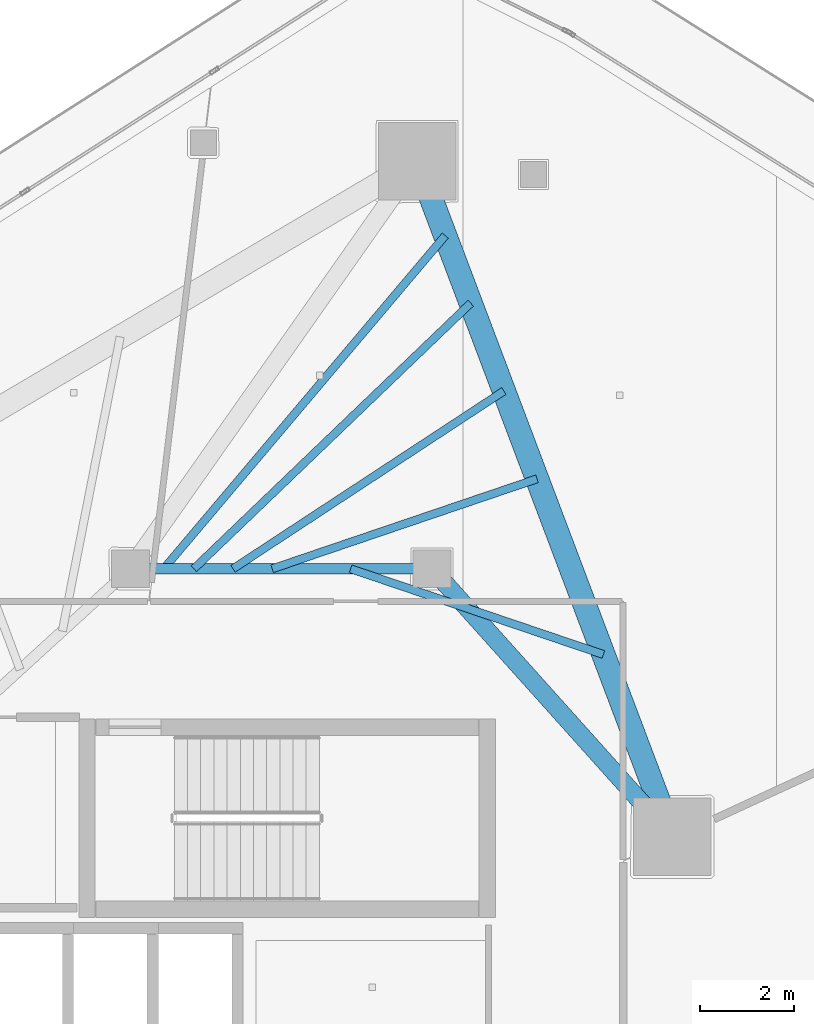
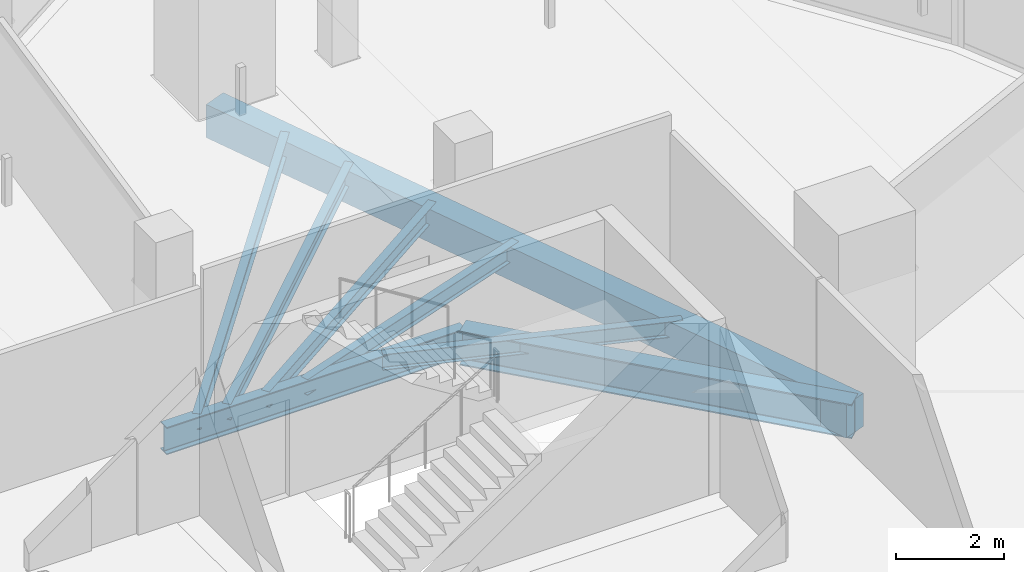
# One storey, part 15 of 31: 8 beams.
"""IFC4 building model written with IfcOpenShell, lengths in metres."""

from ifc_helpers import new_model, si_unit, direction, frame, origin, origin_2d, place, context, subcontext, project, spatial, rectangle, i_section, extrude, material, material_profile, profile_set, type_object, element, save


model = new_model("IFC4")

# Units and contexts
model_context = context("Model", 3, precision=1e-05, world=origin(), true_north=direction((0.0, 1.0)))
body_context = subcontext(model_context, "Body", "Model", "MODEL_VIEW")
ifc_project = project(units=[si_unit("LENGTHUNIT", "METRE"), si_unit("AREAUNIT", "SQUARE_METRE"), si_unit("VOLUMEUNIT", "CUBIC_METRE"), si_unit("PLANEANGLEUNIT", "RADIAN"), si_unit("MASSUNIT", "GRAM", prefix="KILO")], contexts=[model_context])

# Site, building, storey
site_placement = place(None, origin())
site = spatial("IfcSite", under=ifc_project, at=site_placement, CompositionType="ELEMENT")
building_placement = place(site_placement, origin())
building = spatial("IfcBuilding", under=site, at=building_placement, Name="Qorvath Tower", CompositionType="ELEMENT")
storey_placement = place(building_placement, frame((0.0, 0.0, 259.800048828125)))
storey = spatial("IfcBuildingStorey", under=building, at=storey_placement, Name="L60", CompositionType="ELEMENT", Elevation=259.800048828125)

# Beams
ifc_material_1 = material(Name="Steel ASTM A992 Grade 50", Category="steel")
ifc_material_profile_1 = material_profile(ifc_material_1, i_section(OverallWidth=0.381103515625, OverallDepth=0.77294921875, WebThickness=0.0166015625, FlangeThickness=0.027099609375, FilletRadius=0.01904296875, at=origin_2d()), Name="W30x173")
ifc_profile_set_1 = profile_set([ifc_material_profile_1], Name="Steel ASTM A992 Grade 50")
beam_type_1 = type_object("IfcBeamType", Name="BM-FG3", PredefinedType="BEAM", material=ifc_profile_set_1)
beam_1_placement = place(storey_placement, frame((-17.199951171875, 11.449951171875, -0.676513671875), z_axis=(0.667543184261, -0.744571082669, 0.0), x_axis=(0.744571082669, 0.667543184261, 0.0)))
element("IfcBeam", 1, at=beam_1_placement, inside=storey, type_object=beam_type_1, Name="Radial Floor Girder CC2-MC5 L60", PredefinedType="BEAM", context=body_context, shape_type="SweptSolid", body=[
    extrude(i_section(OverallWidth=0.381103515625, OverallDepth=0.77294921875, WebThickness=0.0166015625, FlangeThickness=0.027099609375, FilletRadius=0.01904296875, at=origin_2d()), origin(), (0.0, 0.0, 1.0), 7.644775390625),
])
ifc_material_2 = material(Name="Steel ASTM A992 Grade 50", Category="steel")
ifc_material_profile_2 = material_profile(ifc_material_2, i_section(OverallWidth=0.22998046875, OverallDepth=0.616943359375, WebThickness=0.01318359375, FlangeThickness=0.022216796875, FilletRadius=0.014892578125, at=origin_2d()), Name="W24x94")
ifc_profile_set_2 = profile_set([ifc_material_profile_2], Name="Steel ASTM A992 Grade 50")
beam_type_2 = type_object("IfcBeamType", Name="BM-FG6", PredefinedType="BEAM", material=ifc_profile_set_2)
beam_2_placement = place(storey_placement, frame((-23.60009765625, 11.449951171875, -0.5986328125), z_axis=(1.0, 0.0, 0.0), x_axis=(0.0, 1.0, 0.0)))
element("IfcBeam", 2, at=beam_2_placement, inside=storey, type_object=beam_type_2, Name="Core Ring Girder CC1-CC2 L60", PredefinedType="BEAM", context=body_context, shape_type="SweptSolid", body=[
    extrude(i_section(OverallWidth=0.22998046875, OverallDepth=0.616943359375, WebThickness=0.01318359375, FlangeThickness=0.022216796875, FilletRadius=0.014892578125, at=origin_2d()), origin(), (0.0, 0.0, 1.0), 6.400146484375),
])
ifc_material_3 = material(Name="Steel ASTM A992 Grade 50", Category="steel")
ifc_material_profile_3 = material_profile(ifc_material_3, i_section(OverallWidth=0.1708984375, OverallDepth=0.35107421875, WebThickness=0.0068359375, FlangeThickness=0.009765625, FilletRadius=0.010009765625, at=origin_2d()), Name="W14x30")
ifc_profile_set_3 = profile_set([ifc_material_profile_3], Name="Steel ASTM A992 Grade 50")
beam_type_3 = type_object("IfcBeamType", Name="BM-FJ4", PredefinedType="JOIST", material=ifc_profile_set_3)
beam_3_placement = place(storey_placement, frame((-18.927978515625, 11.449951171875, -0.465576171875), z_axis=(0.947086298547, -0.32097903842, 0.0), x_axis=(0.32097903842, 0.947086298547, 0.0)))
element("IfcBeam", 3, at=beam_3_placement, inside=storey, type_object=beam_type_3, Name="Composite Floor Joist NE2 L60", PredefinedType="JOIST", context=body_context, shape_type="SweptSolid", body=[
    extrude(i_section(OverallWidth=0.1708984375, OverallDepth=0.35107421875, WebThickness=0.0068359375, FlangeThickness=0.009765625, FilletRadius=0.010009765625, at=origin_2d()), origin(), (0.0, 0.0, 1.0), 5.66796875),
])
beam_4_placement = place(storey_placement, frame((-20.592041015625, 11.449951171875, -0.465576171875), z_axis=(0.946863164885, 0.321636669216, 0.0), x_axis=(-0.321636669216, 0.946863164885, 0.0)))
element("IfcBeam", 4, at=beam_4_placement, inside=storey, type_object=beam_type_3, Name="Composite Floor Joist NE4 L60", PredefinedType="JOIST", context=body_context, shape_type="SweptSolid", body=[
    extrude(i_section(OverallWidth=0.1708984375, OverallDepth=0.35107421875, WebThickness=0.0068359375, FlangeThickness=0.009765625, FilletRadius=0.010009765625, at=origin_2d()), origin(), (0.0, 0.0, 1.0), 5.93896484375),
])
beam_5_placement = place(storey_placement, frame((-21.424072265625, 11.449951171875, -0.465576171875), z_axis=(0.835992964387, 0.548740160272, 0.0), x_axis=(-0.548740160272, 0.835992964387, 0.0)))
element("IfcBeam", 5, at=beam_5_placement, inside=storey, type_object=beam_type_3, Name="Composite Floor Joist NE5 L60", PredefinedType="JOIST", context=body_context, shape_type="SweptSolid", body=[
    extrude(i_section(OverallWidth=0.1708984375, OverallDepth=0.35107421875, WebThickness=0.0068359375, FlangeThickness=0.009765625, FilletRadius=0.010009765625, at=origin_2d()), origin(), (0.0, 0.0, 1.0), 6.879150390625),
])
beam_6_placement = place(storey_placement, frame((-22.256103515625, 11.449951171875, -0.465576171875), z_axis=(0.721625044611, 0.692284114356, 0.0), x_axis=(-0.692284114356, 0.721625044611, 0.0)))
element("IfcBeam", 6, at=beam_6_placement, inside=storey, type_object=beam_type_3, Name="Composite Floor Joist NE6 L60", PredefinedType="JOIST", context=body_context, shape_type="SweptSolid", body=[
    extrude(i_section(OverallWidth=0.1708984375, OverallDepth=0.35107421875, WebThickness=0.0068359375, FlangeThickness=0.009765625, FilletRadius=0.010009765625, at=origin_2d()), origin(), (0.0, 0.0, 1.0), 8.14599609375),
])
beam_7_placement = place(storey_placement, frame((-22.89599609375, 11.449951171875, -0.465576171875), z_axis=(0.645381885676, 0.763860079885, 0.0), x_axis=(-0.763860079885, 0.645381885676, 0.0)))
element("IfcBeam", 7, at=beam_7_placement, inside=storey, type_object=beam_type_3, Name="Composite Floor Joist NE7 L60", PredefinedType="JOIST", context=body_context, shape_type="SweptSolid", body=[
    extrude(i_section(OverallWidth=0.1708984375, OverallDepth=0.35107421875, WebThickness=0.0068359375, FlangeThickness=0.009765625, FilletRadius=0.010009765625, at=origin_2d()), origin(), (0.0, 0.0, 1.0), 9.260498046875),
])
ifc_material_4 = material(Name="Concrete C45/55", Category="concrete")
ifc_material_profile_4 = material_profile(ifc_material_4, rectangle(XDim=0.5, YDim=0.75, at=origin_2d()), Name="RCB 750x500")
ifc_profile_set_4 = profile_set([ifc_material_profile_4], Name="Concrete C45/55")
beam_type_4 = type_object("IfcBeamType", Name="BM-RCB3", PredefinedType="SPANDREL", material=ifc_profile_set_4)
beam_8_placement = place(storey_placement, frame((-12.0966796875, 5.7578125, -0.6650390625), z_axis=(-0.353397781952, 0.935473146441, 0.0), x_axis=(-0.935473146441, -0.353397781952, 0.0)))
element("IfcBeam", 8, at=beam_8_placement, inside=storey, type_object=beam_type_4, Name="Perimeter Loggia Frame Beam MC5-MC6 L60", PredefinedType="SPANDREL", context=body_context, shape_type="SweptSolid", body=[
    extrude(rectangle(XDim=0.5, YDim=0.75, at=origin_2d()), origin(), (0.0, 0.0, 1.0), 15.333251953125),
])

save(model, "model.ifc")
